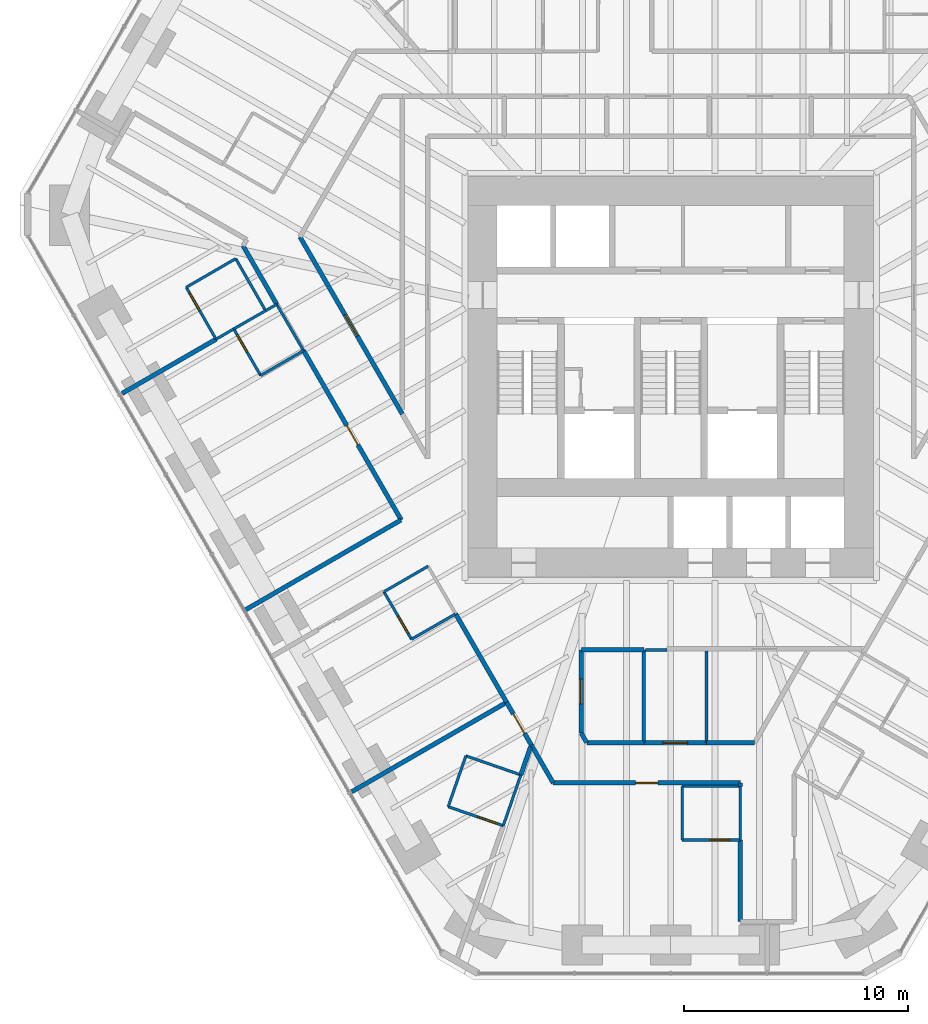
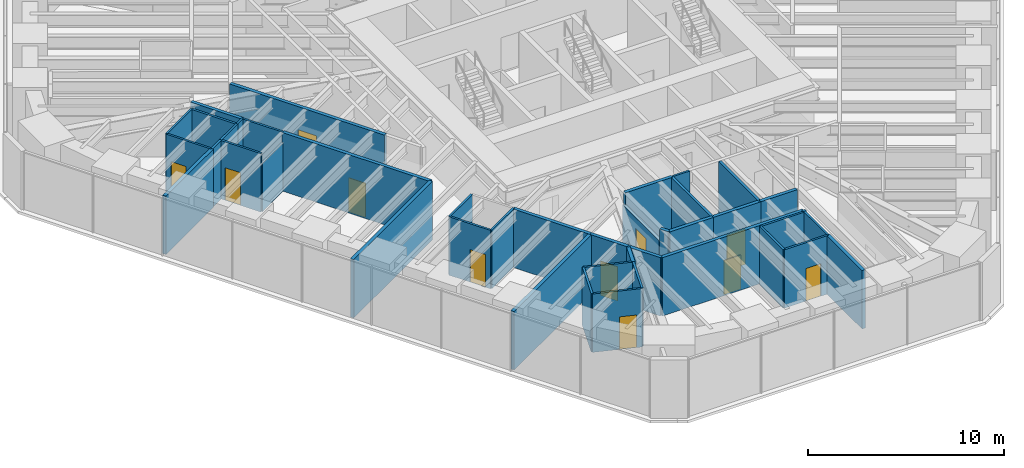
# One storey, part 11 of 17: 42 walls, 11 doors, 11 openings.
"""IFC4 building model written with IfcOpenShell, lengths in metres."""

from ifc_helpers import new_model, si_unit, direction, frame, frame_2d, origin, place, context, subcontext, project, spatial, rectangle, extrude, material, layer, layer_set, type_object, element, fill, save


model = new_model("IFC4")

# Units and contexts
model_context = context("Model", 3, precision=1e-05, world=origin(), true_north=direction((0.0, 1.0)))
body_context = subcontext(model_context, "Body", "Model", "MODEL_VIEW")
ifc_project = project(units=[si_unit("LENGTHUNIT", "METRE"), si_unit("AREAUNIT", "SQUARE_METRE"), si_unit("VOLUMEUNIT", "CUBIC_METRE"), si_unit("PLANEANGLEUNIT", "RADIAN"), si_unit("MASSUNIT", "GRAM", prefix="KILO")], contexts=[model_context])

# Site, building, storey
site_placement = place(None, origin())
site = spatial("IfcSite", under=ifc_project, at=site_placement, CompositionType="ELEMENT")
building_placement = place(site_placement, origin())
building = spatial("IfcBuilding", under=site, at=building_placement, Name="Sandreach Pilgrim Tower", CompositionType="ELEMENT")
storey_placement = place(building_placement, frame((0.0, 0.0, 142.39990234375)))
storey = spatial("IfcBuildingStorey", under=building, at=storey_placement, Name="L35", CompositionType="ELEMENT", Elevation=142.39990234375)

# Walls
ifc_material_1 = material(Name="Gypsum board on steel studs", Category="steel")
ifc_layer_1 = layer(ifc_material_1, 0.14990234375)
ifc_layer_set_1 = layer_set([ifc_layer_1], Name="Back of house wall 150")
wall_type_1 = type_object("IfcWallType", Name="Back of house wall 150", PredefinedType="PARTITIONING", material=ifc_layer_set_1)
wall_1_placement = place(storey_placement, frame((-1.199951171875, -13.75, 0.0), z_axis=(0.0, 0.0, 1.0), x_axis=(0.0, -1.0, 0.0)))
element("IfcWall", 1, at=wall_1_placement, inside=storey, type_object=wall_type_1, Name="Back of house wall L35-073", PredefinedType="PARTITIONING", context=body_context, shape_type="SweptSolid", body=[
    extrude(rectangle(XDim=4.139892578125, YDim=0.14990234375, at=frame_2d((2.06982421875, 0.0))), origin(), (0.0, 0.0, 1.0), 3.64013671875),
])
wall_2_placement = place(storey_placement, frame((1.60009765625, -13.800048828125, 0.0), z_axis=(0.0, 0.0, 1.0), x_axis=(0.0, -1.0, 0.0)))
element("IfcWall", 2, at=wall_2_placement, inside=storey, type_object=wall_type_1, Name="Back of house wall L35-079", PredefinedType="PARTITIONING", context=body_context, shape_type="SweptSolid", body=[
    extrude(rectangle(XDim=4.08984375, YDim=0.14990234375, at=frame_2d((2.044921875, 0.0))), origin(), (0.0, 0.0, 1.0), 3.64013671875),
])

# Wall, opening, door
ifc_material_2 = material(Name="Moisture-resistant gypsum board on steel studs", Category="steel")
ifc_layer_2 = layer(ifc_material_2, 0.1201171875)
ifc_layer_set_2 = layer_set([ifc_layer_2], Name="Bathroom partition 120")
wall_type_2 = type_object("IfcWallType", Name="Bathroom partition 120", PredefinedType="PARTITIONING", material=ifc_layer_set_2)
wall_3_placement = place(storey_placement, frame((-21.639892578125, 2.449951171875, 0.0), z_axis=(0.0, 0.0, 1.0), x_axis=(0.497288831399, -0.867585049529, 0.0)))
wall_3 = element("IfcWall", 3, at=wall_3_placement, inside=storey, type_object=wall_type_2, Name="Bathroom partition L35-007", PredefinedType="PARTITIONING", context=body_context, shape_type="SweptSolid", body=[
    extrude(rectangle(XDim=2.674072265625, YDim=0.1201171875, at=frame_2d((1.3369140625, 0.0))), origin(), (0.0, 0.0, 1.0), 3.64013671875),
])
opening_1_placement = place(wall_3_placement, frame((0.300048828125, 0.0, 0.0)))
opening_1 = element("IfcOpeningElement", 4, at=opening_1_placement, cuts=wall_3, Name="Opening D09-14B", PredefinedType="OPENING", context=body_context, shape_type="SweptSolid", body=[
    extrude(rectangle(XDim=0.89990234375, YDim=2.030029296875, at=frame_2d((0.449951171875, 1.01513671875))), frame((0.0, 0.06005859375, 0.0), z_axis=(0.0, -1.0, 0.0), x_axis=(1.0, 0.0, 0.0)), (0.0, 0.0, 1.0), 0.1201171875),
])
ifc_material_3 = material(Name="Timber door, steel frame", Category="steel")
door_type_1 = type_object("IfcDoorType", Name="Bathroom door", OperationType="SINGLE_SWING_LEFT", PredefinedType="DOOR", material=ifc_material_3)
door_1_placement = place(opening_1_placement, origin())
door_1 = element("IfcDoor", 5, at=door_1_placement, inside=storey, type_object=door_type_1, Name="Door 3514B", OperationType="SINGLE_SWING_LEFT", OverallHeight=2.030029296875, OverallWidth=0.89990234375, PredefinedType="DOOR", context=body_context, shape_type="SweptSolid", body=[
    extrude(rectangle(XDim=0.89990234375, YDim=2.030029296875, at=frame_2d((0.449951171875, 1.01513671875))), frame((0.0, 0.02490234375, 0.0), z_axis=(0.0, -1.0, 0.0), x_axis=(1.0, 0.0, 0.0)), (0.0, 0.0, 1.0), 0.050048828125),
])
fill(opening_1, door_1)

# Wall
wall_4_placement = place(storey_placement, frame((-20.31005859375, 0.1298828125, 0.0), z_axis=(0.0, 0.0, 1.0), x_axis=(0.864088651014, 0.503339649926, 0.0)))
element("IfcWall", 6, at=wall_4_placement, inside=storey, type_object=wall_type_2, Name="Bathroom partition L35-008", PredefinedType="PARTITIONING", context=body_context, shape_type="SweptSolid", body=[
    extrude(rectangle(XDim=0.914306640625, YDim=0.1201171875, at=frame_2d((0.45703125, 0.0))), origin(), (0.0, 0.0, 1.0), 3.64013671875),
])

# Wall, opening, door
wall_5_placement = place(storey_placement, frame((-19.52001953125, 0.590087890625, 0.0), z_axis=(0.0, 0.0, 1.0), x_axis=(0.499693115345, -0.866202511239, 0.0)))
wall_5 = element("IfcWall", 7, at=wall_5_placement, inside=storey, type_object=wall_type_2, Name="Bathroom partition L35-010", PredefinedType="PARTITIONING", context=body_context, shape_type="SweptSolid", body=[
    extrude(rectangle(XDim=2.4013671875, YDim=0.1201171875, at=frame_2d((1.20068359375, 0.0))), origin(), (0.0, 0.0, 1.0), 3.64013671875),
])
opening_2_placement = place(wall_5_placement, frame((0.300048828125, 0.0, 0.0)))
opening_2 = element("IfcOpeningElement", 8, at=opening_2_placement, cuts=wall_5, Name="Opening D09-13B", PredefinedType="OPENING", context=body_context, shape_type="SweptSolid", body=[
    extrude(rectangle(XDim=0.89990234375, YDim=2.030029296875, at=frame_2d((0.449951171875, 1.01513671875))), frame((0.0, 0.06005859375, 0.0), z_axis=(0.0, -1.0, 0.0), x_axis=(1.0, 0.0, 0.0)), (0.0, 0.0, 1.0), 0.1201171875),
])
door_2_placement = place(opening_2_placement, origin())
door_2 = element("IfcDoor", 9, at=door_2_placement, inside=storey, type_object=door_type_1, Name="Door 3513B", OperationType="SINGLE_SWING_LEFT", OverallHeight=2.030029296875, OverallWidth=0.89990234375, PredefinedType="DOOR", context=body_context, shape_type="SweptSolid", body=[
    extrude(rectangle(XDim=0.89990234375, YDim=2.030029296875, at=frame_2d((0.449951171875, 1.01513671875))), frame((0.0, 0.02490234375, 0.0), z_axis=(0.0, -1.0, 0.0), x_axis=(1.0, 0.0, 0.0)), (0.0, 0.0, 1.0), 0.050048828125),
])
fill(opening_2, door_2)

# Walls
wall_6_placement = place(storey_placement, frame((-19.52001953125, 0.590087890625, 0.0), z_axis=(0.0, 0.0, 1.0), x_axis=(0.868013991935, 0.496539736381, 0.0)))
element("IfcWall", 10, at=wall_6_placement, inside=storey, type_object=wall_type_2, Name="Bathroom partition L35-011", PredefinedType="PARTITIONING", context=body_context, shape_type="SweptSolid", body=[
    extrude(rectangle(XDim=1.6396484375, YDim=0.1201171875, at=frame_2d((0.81982421875, 0.0))), origin(), (0.0, 0.0, 1.0), 3.64013671875),
])
wall_7_placement = place(storey_placement, frame((-19.429931640625, 3.72998046875, 0.0), z_axis=(0.0, 0.0, 1.0), x_axis=(-0.865328095335, -0.50120583339, 0.0)))
element("IfcWall", 11, at=wall_7_placement, inside=storey, type_object=wall_type_2, Name="Bathroom partition L35-012", PredefinedType="PARTITIONING", context=body_context, shape_type="SweptSolid", body=[
    extrude(rectangle(XDim=2.553955078125, YDim=0.1201171875, at=frame_2d((1.27685546875, 0.0))), origin(), (0.0, 0.0, 1.0), 3.64013671875),
])
wall_8_placement = place(storey_placement, frame((-18.320068359375, -1.489990234375, 0.0), z_axis=(0.0, 0.0, 1.0), x_axis=(0.865732595383, 0.500506816428, 0.0)))
element("IfcWall", 12, at=wall_8_placement, inside=storey, type_object=wall_type_2, Name="Bathroom partition L35-017", PredefinedType="PARTITIONING", context=body_context, shape_type="SweptSolid", body=[
    extrude(rectangle(XDim=2.218017578125, YDim=0.1201171875, at=frame_2d((1.10888671875, 0.0))), origin(), (0.0, 0.0, 1.0), 3.02294921875),
])
wall_9_placement = place(storey_placement, frame((-18.10009765625, 1.409912109375, 0.0), z_axis=(0.0, 0.0, 1.0), x_axis=(-0.497288831399, 0.867585049529, 0.0)))
element("IfcWall", 13, at=wall_9_placement, inside=storey, type_object=wall_type_2, Name="Bathroom partition L35-018", PredefinedType="PARTITIONING", context=body_context, shape_type="SweptSolid", body=[
    extrude(rectangle(XDim=2.674072265625, YDim=0.1201171875, at=frame_2d((1.3369140625, 0.0))), origin(), (0.0, 0.0, 1.0), 3.64013671875),
])
wall_10_placement = place(storey_placement, frame((-18.0966796875, 1.404296875, 0.0), z_axis=(0.0, 0.0, 1.0), x_axis=(0.866823419736, 0.498615241441, 0.0)))
element("IfcWall", 14, at=wall_10_placement, inside=storey, type_object=wall_type_2, Name="Bathroom partition L35-019", PredefinedType="PARTITIONING", context=body_context, shape_type="SweptSolid", body=[
    extrude(rectangle(XDim=0.57275390625, YDim=0.1201171875, at=frame_2d((0.286376953125, 0.0))), origin(), (0.0, 0.0, 1.0), 3.64013671875),
])
wall_11_placement = place(storey_placement, frame((-17.60009765625, 1.68994140625, 0.0), z_axis=(0.0, 0.0, 1.0), x_axis=(0.501623408317, -0.865086097581, 0.0)))
element("IfcWall", 15, at=wall_11_placement, inside=storey, type_object=wall_type_2, Name="Bathroom partition L35-022", PredefinedType="PARTITIONING", context=body_context, shape_type="SweptSolid", body=[
    extrude(rectangle(XDim=2.392578125, YDim=0.1201171875, at=frame_2d((1.1962890625, 0.0))), origin(), (0.0, 0.0, 1.0), 3.64013671875),
])

# Wall, opening, door
wall_12_placement = place(storey_placement, frame((-12.81005859375, -11.14990234375, 0.0), z_axis=(0.0, 0.0, 1.0), x_axis=(0.501813488763, -0.864975850817, 0.0)))
wall_12 = element("IfcWall", 16, at=wall_12_placement, inside=storey, type_object=wall_type_2, Name="Bathroom partition L35-030", PredefinedType="PARTITIONING", context=body_context, shape_type="SweptSolid", body=[
    extrude(rectangle(XDim=2.451171875, YDim=0.1201171875, at=frame_2d((1.2255859375, 0.0))), origin(), (0.0, 0.0, 1.0), 3.64013671875),
])
opening_3_placement = place(wall_12_placement, frame((1.2509765625, 0.0, 0.0)))
opening_3 = element("IfcOpeningElement", 17, at=opening_3_placement, cuts=wall_12, Name="Opening D09-12B", PredefinedType="OPENING", context=body_context, shape_type="SweptSolid", body=[
    extrude(rectangle(XDim=0.89990234375, YDim=2.030029296875, at=frame_2d((0.449951171875, 1.01513671875))), frame((0.0, 0.06005859375, 0.0), z_axis=(0.0, -1.0, 0.0), x_axis=(1.0, 0.0, 0.0)), (0.0, 0.0, 1.0), 0.1201171875),
])
door_3_placement = place(opening_3_placement, origin())
door_3 = element("IfcDoor", 18, at=door_3_placement, inside=storey, type_object=door_type_1, Name="Door 3512B", OperationType="SINGLE_SWING_RIGHT", OverallHeight=2.030029296875, OverallWidth=0.89990234375, PredefinedType="DOOR", context=body_context, shape_type="SweptSolid", body=[
    extrude(rectangle(XDim=0.89990234375, YDim=2.030029296875, at=frame_2d((0.449951171875, 1.01513671875))), frame((0.0, 0.02490234375, 0.0), z_axis=(0.0, -1.0, 0.0), x_axis=(1.0, 0.0, 0.0)), (0.0, 0.0, 1.0), 0.050048828125),
])
fill(opening_3, door_3)

# Walls
wall_13_placement = place(storey_placement, frame((-12.81005859375, -11.14990234375, 0.0), z_axis=(0.0, 0.0, 1.0), x_axis=(0.865543766642, 0.500833293649, 0.0)))
element("IfcWall", 19, at=wall_13_placement, inside=storey, type_object=wall_type_2, Name="Bathroom partition L35-031", PredefinedType="PARTITIONING", context=body_context, shape_type="SweptSolid", body=[
    extrude(rectangle(XDim=2.27587890625, YDim=0.1201171875, at=frame_2d((1.137939453125, 0.0))), origin(), (0.0, 0.0, 1.0), 3.64013671875),
])
wall_14_placement = place(storey_placement, frame((-11.580078125, -13.27001953125, 0.0), z_axis=(0.0, 0.0, 1.0), x_axis=(0.867428373024, 0.497562074192, 0.0)))
element("IfcWall", 20, at=wall_14_placement, inside=storey, type_object=wall_type_2, Name="Bathroom partition L35-039", PredefinedType="PARTITIONING", context=body_context, shape_type="SweptSolid", body=[
    extrude(rectangle(XDim=2.271240234375, YDim=0.1201171875, at=frame_2d((1.1357421875, 0.0))), origin(), (0.0, 0.0, 1.0), 3.64013671875),
])

# Wall, opening, door
wall_15_placement = place(storey_placement, frame((-9.93994140625, -20.75, 0.0), z_axis=(0.0, 0.0, 1.0), x_axis=(0.94515546045, -0.326620813149, 0.0)))
wall_15 = element("IfcWall", 21, at=wall_15_placement, inside=storey, type_object=wall_type_2, Name="Bathroom partition L35-045", PredefinedType="PARTITIONING", context=body_context, shape_type="SweptSolid", body=[
    extrude(rectangle(XDim=2.602783203125, YDim=0.1201171875, at=frame_2d((1.30126953125, 0.0))), origin(), (0.0, 0.0, 1.0), 3.64013671875),
])
opening_4_placement = place(wall_15_placement, frame((1.402587890625, 0.0, 0.0)))
opening_4 = element("IfcOpeningElement", 22, at=opening_4_placement, cuts=wall_15, Name="Opening D09-11B", PredefinedType="OPENING", context=body_context, shape_type="SweptSolid", body=[
    extrude(rectangle(XDim=0.89990234375, YDim=2.030029296875, at=frame_2d((0.449951171875, 1.01513671875))), frame((0.0, 0.06005859375, 0.0), z_axis=(0.0, -1.0, 0.0), x_axis=(1.0, 0.0, 0.0)), (0.0, 0.0, 1.0), 0.1201171875),
])
door_4_placement = place(opening_4_placement, origin())
door_4 = element("IfcDoor", 23, at=door_4_placement, inside=storey, type_object=door_type_1, Name="Door 3511B", OperationType="SINGLE_SWING_RIGHT", OverallHeight=2.030029296875, OverallWidth=0.89990234375, PredefinedType="DOOR", context=body_context, shape_type="SweptSolid", body=[
    extrude(rectangle(XDim=0.89990234375, YDim=2.030029296875, at=frame_2d((0.449951171875, 1.01513671875))), frame((0.0, 0.02490234375, 0.0), z_axis=(0.0, -1.0, 0.0), x_axis=(1.0, 0.0, 0.0)), (0.0, 0.0, 1.0), 0.050048828125),
])
fill(opening_4, door_4)

# Walls
wall_16_placement = place(storey_placement, frame((-9.14990234375, -18.47998046875, 0.0), z_axis=(0.0, 0.0, 1.0), x_axis=(-0.328693963496, -0.944436487203, 0.0)))
element("IfcWall", 24, at=wall_16_placement, inside=storey, type_object=wall_type_2, Name="Bathroom partition L35-050", PredefinedType="PARTITIONING", context=body_context, shape_type="SweptSolid", body=[
    extrude(rectangle(XDim=2.403564453125, YDim=0.1201171875, at=frame_2d((1.20166015625, 0.0))), origin(), (0.0, 0.0, 1.0), 3.64013671875),
])
wall_17_placement = place(storey_placement, frame((-7.47998046875, -21.60009765625, 0.0), z_axis=(0.0, 0.0, 1.0), x_axis=(0.326492166492, 0.945199907543, 0.0)))
element("IfcWall", 25, at=wall_17_placement, inside=storey, type_object=wall_type_2, Name="Bathroom partition L35-051", PredefinedType="PARTITIONING", context=body_context, shape_type="SweptSolid", body=[
    extrude(rectangle(XDim=2.400390625, YDim=0.1201171875, at=frame_2d((1.2001953125, 0.0))), origin(), (0.0, 0.0, 1.0), 3.64013671875),
])
wall_18_placement = place(storey_placement, frame((-6.699951171875, -19.330078125, 0.0), z_axis=(0.0, 0.0, 1.0), x_axis=(-0.944753042377, 0.327782990589, 0.0)))
element("IfcWall", 26, at=wall_18_placement, inside=storey, type_object=wall_type_2, Name="Bathroom partition L35-056", PredefinedType="PARTITIONING", context=body_context, shape_type="SweptSolid", body=[
    extrude(rectangle(XDim=2.593505859375, YDim=0.1201171875, at=frame_2d((1.296875, 0.0))), origin(), (0.0, 0.0, 1.0), 3.64013671875),
])
wall_19_placement = place(storey_placement, frame((-1.125, -13.75, 0.0), z_axis=(0.0, 0.0, 1.0), x_axis=(1.0, 0.0, 0.0)))
element("IfcWall", 27, at=wall_19_placement, inside=storey, type_object=wall_type_2, Name="Bathroom partition L35-074", PredefinedType="PARTITIONING", context=body_context, shape_type="SweptSolid", body=[
    extrude(rectangle(XDim=0.955078125, YDim=0.1201171875, at=frame_2d((0.4775390625, 0.0))), origin(), (0.0, 0.0, 1.0), 3.64013671875),
])

# Wall, opening, door
wall_20_placement = place(storey_placement, frame((0.510009765625, -22.239990234375, 0.0), z_axis=(0.0, 0.0, 1.0), x_axis=(1.0, 0.0, 0.0)))
wall_20 = element("IfcWall", 28, at=wall_20_placement, inside=storey, type_object=wall_type_2, Name="Bathroom partition L35-076", PredefinedType="PARTITIONING", context=body_context, shape_type="SweptSolid", body=[
    extrude(rectangle(XDim=2.60009765625, YDim=0.1201171875, at=frame_2d((1.300048828125, 0.0))), origin(), (0.0, 0.0, 1.0), 3.64013671875),
])
opening_5_placement = place(wall_20_placement, frame((1.25, 0.0, 0.0)))
opening_5 = element("IfcOpeningElement", 29, at=opening_5_placement, cuts=wall_20, Name="Opening D09-10B", PredefinedType="OPENING", context=body_context, shape_type="SweptSolid", body=[
    extrude(rectangle(XDim=0.89990234375, YDim=2.030029296875, at=frame_2d((0.449951171875, 1.01513671875))), frame((0.0, 0.06005859375, 0.0), z_axis=(0.0, -1.0, 0.0), x_axis=(1.0, 0.0, 0.0)), (0.0, 0.0, 1.0), 0.1201171875),
])
door_5_placement = place(opening_5_placement, origin())
door_5 = element("IfcDoor", 30, at=door_5_placement, inside=storey, type_object=door_type_1, Name="Door 3510B", OperationType="SINGLE_SWING_RIGHT", OverallHeight=2.030029296875, OverallWidth=0.89990234375, PredefinedType="DOOR", context=body_context, shape_type="SweptSolid", body=[
    extrude(rectangle(XDim=0.89990234375, YDim=2.030029296875, at=frame_2d((0.449951171875, 1.01513671875))), frame((0.0, 0.02490234375, 0.0), z_axis=(0.0, -1.0, 0.0), x_axis=(1.0, 0.0, 0.0)), (0.0, 0.0, 1.0), 0.050048828125),
])
fill(opening_5, door_5)

# Walls
wall_21_placement = place(storey_placement, frame((0.510009765625, -19.840087890625, 0.0), z_axis=(0.0, 0.0, 1.0), x_axis=(0.0, -1.0, 0.0)))
element("IfcWall", 31, at=wall_21_placement, inside=storey, type_object=wall_type_2, Name="Bathroom partition L35-077", PredefinedType="PARTITIONING", context=body_context, shape_type="SweptSolid", body=[
    extrude(rectangle(XDim=2.39990234375, YDim=0.1201171875, at=frame_2d((1.199951171875, 0.0))), origin(), (0.0, 0.0, 1.0), 3.64013671875),
])
wall_22_placement = place(storey_placement, frame((3.110107421875, -19.840087890625, 0.0), z_axis=(0.0, 0.0, 1.0), x_axis=(-1.0, 0.0, 0.0)))
element("IfcWall", 32, at=wall_22_placement, inside=storey, type_object=wall_type_2, Name="Bathroom partition L35-084", PredefinedType="PARTITIONING", context=body_context, shape_type="SweptSolid", body=[
    extrude(rectangle(XDim=2.60009765625, YDim=0.1201171875, at=frame_2d((1.300048828125, 0.0))), origin(), (0.0, 0.0, 1.0), 3.64013671875),
])
wall_23_placement = place(storey_placement, frame((3.110107421875, -19.840087890625, 0.0), z_axis=(0.0, 0.0, 1.0), x_axis=(0.0, -1.0, 0.0)))
element("IfcWall", 33, at=wall_23_placement, inside=storey, type_object=wall_type_2, Name="Bathroom partition L35-085", PredefinedType="PARTITIONING", context=body_context, shape_type="SweptSolid", body=[
    extrude(rectangle(XDim=2.39990234375, YDim=0.1201171875, at=frame_2d((1.199951171875, 0.0))), origin(), (0.0, 0.0, 1.0), 3.64013671875),
])
ifc_material_4 = material(Name="Gypsum board on steel studs, two layers each side", Category="steel")
ifc_layer_3 = layer(ifc_material_4, 0.199951171875)
ifc_layer_set_3 = layer_set([ifc_layer_3], Name="Corridor wall 200")
wall_type_3 = type_object("IfcWallType", Name="Corridor wall 200", PredefinedType="PARTITIONING", material=ifc_layer_set_3)
wall_24_placement = place(storey_placement, frame((-19.10009765625, 4.300048828125, 0.0), z_axis=(0.0, 0.0, 1.0), x_axis=(0.498268459914, -0.867022803538, 0.0)))
element("IfcWall", 34, at=wall_24_placement, inside=storey, type_object=wall_type_3, Name="Corridor wall L35-014", PredefinedType="PARTITIONING", context=body_context, shape_type="SweptSolid", body=[
    extrude(rectangle(XDim=3.010498046875, YDim=0.199951171875, at=frame_2d((1.50537109375, 0.0))), origin(), (0.0, 0.0, 1.0), 3.64013671875),
])

# Wall, opening, door
wall_25_placement = place(storey_placement, frame((-16.39990234375, -0.3798828125, 0.0), z_axis=(0.0, 0.0, 1.0), x_axis=(0.499575523811, -0.866270336563, 0.0)))
wall_25 = element("IfcWall", 35, at=wall_25_placement, inside=storey, type_object=wall_type_3, Name="Corridor wall L35-026", PredefinedType="PARTITIONING", context=body_context, shape_type="SweptSolid", body=[
    extrude(rectangle(XDim=8.72705078125, YDim=0.199951171875, at=frame_2d((4.363525390625, 0.0))), origin(), (0.0, 0.0, 1.0), 3.64013671875),
])
opening_6_placement = place(wall_25_placement, frame((3.863525390625, 0.0, 0.0)))
opening_6 = element("IfcOpeningElement", 36, at=opening_6_placement, cuts=wall_25, Name="Opening D10-13", PredefinedType="OPENING", context=body_context, shape_type="SweptSolid", body=[
    extrude(rectangle(XDim=1.0, YDim=2.1298828125, at=frame_2d((0.5, 1.06494140625))), frame((0.0, 0.10009765625, 0.0), z_axis=(0.0, -1.0, 0.0), x_axis=(1.0, 0.0, 0.0)), (0.0, 0.0, 1.0), 0.199951171875),
])
ifc_material_5 = material(Name="Steel door and frame", Category="steel")
door_type_2 = type_object("IfcDoorType", Name="Guest room entry door", OperationType="SINGLE_SWING_LEFT", PredefinedType="DOOR", material=ifc_material_5)
door_6_placement = place(opening_6_placement, origin())
door_6 = element("IfcDoor", 37, at=door_6_placement, inside=storey, type_object=door_type_2, Name="Door 3513", OperationType="SINGLE_SWING_LEFT", OverallHeight=2.1298828125, OverallWidth=1.0, PredefinedType="DOOR", context=body_context, shape_type="SweptSolid", body=[
    extrude(rectangle(XDim=1.0, YDim=2.1298828125, at=frame_2d((0.5, 1.06494140625))), frame((0.0, 0.02490234375, 0.0), z_axis=(0.0, -1.0, 0.0), x_axis=(1.0, 0.0, 0.0)), (0.0, 0.0, 1.0), 0.050048828125),
])
fill(opening_6, door_6)

# Wall
wall_26_placement = place(storey_placement, frame((-12.052978515625, -7.947509765625, 0.0), z_axis=(0.0, 0.0, 1.0), x_axis=(-0.865882003792, -0.500248293859, 0.0)))
element("IfcWall", 38, at=wall_26_placement, inside=storey, type_object=wall_type_3, Name="Corridor wall L35-035", PredefinedType="PARTITIONING", context=body_context, shape_type="SweptSolid", body=[
    extrude(rectangle(XDim=8.05078125, YDim=0.199951171875, at=frame_2d((4.025390625, 0.0))), origin(), (0.0, 0.0, 1.0), 3.64013671875),
])

# Wall, opening, door
wall_27_placement = place(storey_placement, frame((-11.989990234375, -3.2099609375, 0.0), z_axis=(0.0, 0.0, 1.0), x_axis=(-0.500269138002, 0.865869961116, 0.0)))
wall_27 = element("IfcWall", 39, at=wall_27_placement, inside=storey, type_object=wall_type_3, Name="Corridor wall L35-036", PredefinedType="PARTITIONING", context=body_context, shape_type="SweptSolid", body=[
    extrude(rectangle(XDim=9.13525390625, YDim=0.199951171875, at=frame_2d((4.567626953125, 0.0))), origin(), (0.0, 0.0, 1.0), 3.64013671875),
])
opening_7_placement = place(wall_27_placement, frame((4.017578125, 0.0, 0.0)))
opening_7 = element("IfcOpeningElement", 40, at=opening_7_placement, cuts=wall_27, Name="Opening D11H-M01", PredefinedType="OPENING", context=body_context, shape_type="SweptSolid", body=[
    extrude(rectangle(XDim=1.10009765625, YDim=2.199951171875, at=frame_2d((0.550048828125, 1.10009765625))), frame((0.0, 0.10009765625, 0.0), z_axis=(0.0, -1.0, 0.0), x_axis=(1.0, 0.0, 0.0)), (0.0, 0.0, 1.0), 0.199951171875),
])
ifc_material_6 = material(Name="Steel door and frame", Category="steel")
door_type_3 = type_object("IfcDoorType", Name="Back of house door", OperationType="SINGLE_SWING_LEFT", PredefinedType="DOOR", material=ifc_material_6)
door_7_placement = place(opening_7_placement, origin())
door_7 = element("IfcDoor", 41, at=door_7_placement, inside=storey, type_object=door_type_3, Name="Door 35M01", OperationType="SINGLE_SWING_LEFT", OverallHeight=2.199951171875, OverallWidth=1.10009765625, PredefinedType="DOOR", context=body_context, shape_type="SweptSolid", body=[
    extrude(rectangle(XDim=1.10009765625, YDim=2.199951171875, at=frame_2d((0.550048828125, 1.10009765625))), frame((0.0, 0.02490234375, 0.0), z_axis=(0.0, -1.0, 0.0), x_axis=(1.0, 0.0, 0.0)), (0.0, 0.0, 1.0), 0.050048828125),
])
fill(opening_7, door_7)

# Wall
wall_28_placement = place(storey_placement, frame((-9.610107421875, -12.139892578125, 0.0), z_axis=(0.0, 0.0, 1.0), x_axis=(0.499898533245, -0.866083977718, 0.0)))
element("IfcWall", 42, at=wall_28_placement, inside=storey, type_object=wall_type_3, Name="Corridor wall L35-048", PredefinedType="PARTITIONING", context=body_context, shape_type="SweptSolid", body=[
    extrude(rectangle(XDim=4.56103515625, YDim=0.199951171875, at=frame_2d((2.280517578125, 0.0))), origin(), (0.0, 0.0, 1.0), 3.64013671875),
])

# Wall, opening, door
wall_29_placement = place(storey_placement, frame((-7.3310546875, -16.090576171875, 0.0), z_axis=(0.0, 0.0, 1.0), x_axis=(0.501518373175, -0.865146994081, 0.0)))
wall_29 = element("IfcWall", 43, at=wall_29_placement, inside=storey, type_object=wall_type_3, Name="Corridor wall L35-055", PredefinedType="PARTITIONING", context=body_context, shape_type="SweptSolid", body=[
    extrude(rectangle(XDim=2.195556640625, YDim=0.199951171875, at=frame_2d((1.09765625, 0.0))), origin(), (0.0, 0.0, 1.0), 3.64013671875),
])
opening_8_placement = place(wall_29_placement, frame((0.59765625, 0.0, 0.0)))
opening_8 = element("IfcOpeningElement", 44, at=opening_8_placement, cuts=wall_29, Name="Opening D10-11", PredefinedType="OPENING", context=body_context, shape_type="SweptSolid", body=[
    extrude(rectangle(XDim=1.0, YDim=2.1298828125, at=frame_2d((0.5, 1.06494140625))), frame((0.0, 0.10009765625, 0.0), z_axis=(0.0, -1.0, 0.0), x_axis=(1.0, 0.0, 0.0)), (0.0, 0.0, 1.0), 0.199951171875),
])
door_8_placement = place(opening_8_placement, origin())
door_8 = element("IfcDoor", 45, at=door_8_placement, inside=storey, type_object=door_type_2, Name="Door 3511", OperationType="SINGLE_SWING_LEFT", OverallHeight=2.1298828125, OverallWidth=1.0, PredefinedType="DOOR", context=body_context, shape_type="SweptSolid", body=[
    extrude(rectangle(XDim=1.0, YDim=2.1298828125, at=frame_2d((0.5, 1.06494140625))), frame((0.0, 0.02490234375, 0.0), z_axis=(0.0, -1.0, 0.0), x_axis=(1.0, 0.0, 0.0)), (0.0, 0.0, 1.0), 0.050048828125),
])
fill(opening_8, door_8)

# Wall
wall_30_placement = place(storey_placement, frame((-6.22998046875, -17.989990234375, 0.0), z_axis=(0.0, 0.0, 1.0), x_axis=(0.499431599995, -0.866353321068, 0.0)))
element("IfcWall", 46, at=wall_30_placement, inside=storey, type_object=wall_type_3, Name="Corridor wall L35-058", PredefinedType="PARTITIONING", context=body_context, shape_type="SweptSolid", body=[
    extrude(rectangle(XDim=1.962158203125, YDim=0.199951171875, at=frame_2d((0.98095703125, 0.0))), origin(), (0.0, 0.0, 1.0), 3.64013671875),
])

# Wall, opening, door
wall_31_placement = place(storey_placement, frame((-5.25, -19.68994140625, 0.0), z_axis=(0.0, 0.0, 1.0), x_axis=(1.0, 0.0, 0.0)))
wall_31 = element("IfcWall", 47, at=wall_31_placement, inside=storey, type_object=wall_type_3, Name="Corridor wall L35-061", PredefinedType="PARTITIONING", context=body_context, shape_type="SweptSolid", body=[
    extrude(rectangle(XDim=8.360107421875, YDim=0.199951171875, at=frame_2d((4.18017578125, 0.0))), origin(), (0.0, 0.0, 1.0), 3.64013671875),
])
opening_9_placement = place(wall_31_placement, frame((3.679931640625, 0.0, 0.0)))
opening_9 = element("IfcOpeningElement", 48, at=opening_9_placement, cuts=wall_31, Name="Opening D10-10", PredefinedType="OPENING", context=body_context, shape_type="SweptSolid", body=[
    extrude(rectangle(XDim=1.0, YDim=2.1298828125, at=frame_2d((0.5, 1.06494140625))), frame((0.0, 0.10009765625, 0.0), z_axis=(0.0, -1.0, 0.0), x_axis=(1.0, 0.0, 0.0)), (0.0, 0.0, 1.0), 0.199951171875),
])
door_9_placement = place(opening_9_placement, origin())
door_9 = element("IfcDoor", 49, at=door_9_placement, inside=storey, type_object=door_type_2, Name="Door 3510", OperationType="SINGLE_SWING_LEFT", OverallHeight=2.1298828125, OverallWidth=1.0, PredefinedType="DOOR", context=body_context, shape_type="SweptSolid", body=[
    extrude(rectangle(XDim=1.0, YDim=2.1298828125, at=frame_2d((0.5, 1.06494140625))), frame((0.0, 0.02490234375, 0.0), z_axis=(0.0, -1.0, 0.0), x_axis=(1.0, 0.0, 0.0)), (0.0, 0.0, 1.0), 0.050048828125),
])
fill(opening_9, door_9)

wall_32_placement = place(storey_placement, frame((-4.0, -17.4599609375, 0.0), z_axis=(0.0, 0.0, 1.0), x_axis=(0.0, 1.0, 0.0)))
wall_32 = element("IfcWall", 50, at=wall_32_placement, inside=storey, type_object=wall_type_3, Name="Corridor wall L35-062", PredefinedType="PARTITIONING", context=body_context, shape_type="SweptSolid", body=[
    extrude(rectangle(XDim=3.7099609375, YDim=0.199951171875, at=frame_2d((1.85498046875, 0.0))), origin(), (0.0, 0.0, 1.0), 2.878173828125),
])
opening_10_placement = place(wall_32_placement, frame((1.304931640625, 0.0, 0.0)))
opening_10 = element("IfcOpeningElement", 51, at=opening_10_placement, cuts=wall_32, Name="Opening D11H-S2", PredefinedType="OPENING", context=body_context, shape_type="SweptSolid", body=[
    extrude(rectangle(XDim=1.10009765625, YDim=2.199951171875, at=frame_2d((0.550048828125, 1.10009765625))), frame((0.0, 0.10009765625, 0.0), z_axis=(0.0, -1.0, 0.0), x_axis=(1.0, 0.0, 0.0)), (0.0, 0.0, 1.0), 0.199951171875),
])
door_10_placement = place(opening_10_placement, origin())
door_10 = element("IfcDoor", 52, at=door_10_placement, inside=storey, type_object=door_type_3, Name="Door 35S2", OperationType="SINGLE_SWING_LEFT", OverallHeight=2.199951171875, OverallWidth=1.10009765625, PredefinedType="DOOR", context=body_context, shape_type="SweptSolid", body=[
    extrude(rectangle(XDim=1.10009765625, YDim=2.199951171875, at=frame_2d((0.550048828125, 1.10009765625))), frame((0.0, 0.02490234375, 0.0), z_axis=(0.0, -1.0, 0.0), x_axis=(1.0, 0.0, 0.0)), (0.0, 0.0, 1.0), 0.050048828125),
])
fill(opening_10, door_10)

# Walls
wall_33_placement = place(storey_placement, frame((-3.989990234375, -13.75, 0.0), z_axis=(0.0, 0.0, 1.0), x_axis=(1.0, 0.0, 0.0)))
element("IfcWall", 53, at=wall_33_placement, inside=storey, type_object=wall_type_3, Name="Corridor wall L35-063", PredefinedType="PARTITIONING", context=body_context, shape_type="SweptSolid", body=[
    extrude(rectangle(XDim=2.7900390625, YDim=0.199951171875, at=frame_2d((1.39501953125, 0.0))), origin(), (0.0, 0.0, 1.0), 3.64013671875),
])
wall_34_placement = place(storey_placement, frame((-3.75, -17.889892578125, 0.0), z_axis=(0.0, 0.0, 1.0), x_axis=(-0.502680181512, 0.864472460588, 0.0)))
element("IfcWall", 54, at=wall_34_placement, inside=storey, type_object=wall_type_3, Name="Corridor wall L35-064", PredefinedType="PARTITIONING", context=body_context, shape_type="SweptSolid", body=[
    extrude(rectangle(XDim=0.497314453125, YDim=0.199951171875, at=frame_2d((0.24853515625, 0.0))), origin(), (0.0, 0.0, 1.0), 3.64013671875),
])
wall_35_placement = place(storey_placement, frame((-1.199951171875, -17.889892578125, 0.0), z_axis=(0.0, 0.0, 1.0), x_axis=(-1.0, 0.0, 0.0)))
element("IfcWall", 55, at=wall_35_placement, inside=storey, type_object=wall_type_3, Name="Corridor wall L35-072", PredefinedType="PARTITIONING", context=body_context, shape_type="SweptSolid", body=[
    extrude(rectangle(XDim=2.550048828125, YDim=0.199951171875, at=frame_2d((1.27490234375, 0.0))), origin(), (0.0, 0.0, 1.0), 3.64013671875),
])

# Wall, opening, door
wall_36_placement = place(storey_placement, frame((1.60009765625, -17.889892578125, 0.0), z_axis=(0.0, 0.0, 1.0), x_axis=(-1.0, 0.0, 0.0)))
wall_36 = element("IfcWall", 56, at=wall_36_placement, inside=storey, type_object=wall_type_3, Name="Corridor wall L35-078", PredefinedType="PARTITIONING", context=body_context, shape_type="SweptSolid", body=[
    extrude(rectangle(XDim=2.800048828125, YDim=0.199951171875, at=frame_2d((1.39990234375, 0.0))), origin(), (0.0, 0.0, 1.0), 3.64013671875),
])
opening_11_placement = place(wall_36_placement, frame((0.85009765625, 0.0, 0.0)))
opening_11 = element("IfcOpeningElement", 57, at=opening_11_placement, cuts=wall_36, Name="Opening D11H-S3", PredefinedType="OPENING", context=body_context, shape_type="SweptSolid", body=[
    extrude(rectangle(XDim=1.10009765625, YDim=2.199951171875, at=frame_2d((0.550048828125, 1.10009765625))), frame((0.0, 0.10009765625, 0.0), z_axis=(0.0, -1.0, 0.0), x_axis=(1.0, 0.0, 0.0)), (0.0, 0.0, 1.0), 0.199951171875),
])
door_11_placement = place(opening_11_placement, origin())
door_11 = element("IfcDoor", 58, at=door_11_placement, inside=storey, type_object=door_type_3, Name="Door 35S3", OperationType="SINGLE_SWING_LEFT", OverallHeight=2.199951171875, OverallWidth=1.10009765625, PredefinedType="DOOR", context=body_context, shape_type="SweptSolid", body=[
    extrude(rectangle(XDim=1.10009765625, YDim=2.199951171875, at=frame_2d((0.550048828125, 1.10009765625))), frame((0.0, 0.02490234375, 0.0), z_axis=(0.0, -1.0, 0.0), x_axis=(1.0, 0.0, 0.0)), (0.0, 0.0, 1.0), 0.050048828125),
])
fill(opening_11, door_11)

# Walls
wall_37_placement = place(storey_placement, frame((3.110107421875, -22.239990234375, 0.0), z_axis=(0.0, 0.0, 1.0), x_axis=(0.0, -1.0, 0.0)))
element("IfcWall", 59, at=wall_37_placement, inside=storey, type_object=wall_type_3, Name="Corridor wall L35-083", PredefinedType="PARTITIONING", context=body_context, shape_type="SweptSolid", body=[
    extrude(rectangle(XDim=3.639892578125, YDim=0.199951171875, at=frame_2d((1.81982421875, 0.0))), origin(), (0.0, 0.0, 1.0), 3.64013671875),
])
wall_38_placement = place(storey_placement, frame((3.110107421875, -19.699951171875, 0.0), z_axis=(0.0, 0.0, 1.0), x_axis=(0.0, -1.0, 0.0)))
element("IfcWall", 60, at=wall_38_placement, inside=storey, type_object=wall_type_3, Name="Corridor wall L35-086", PredefinedType="PARTITIONING", context=body_context, shape_type="SweptSolid", body=[
    extrude(rectangle(XDim=0.14013671875, YDim=0.199951171875, at=frame_2d((0.070068359375, 0.0))), origin(), (0.0, 0.0, 1.0), 3.64013671875),
])
wall_39_placement = place(storey_placement, frame((3.75, -17.889892578125, 0.0), z_axis=(0.0, 0.0, 1.0), x_axis=(-1.0, 0.0, 0.0)))
element("IfcWall", 61, at=wall_39_placement, inside=storey, type_object=wall_type_3, Name="Corridor wall L35-088", PredefinedType="PARTITIONING", context=body_context, shape_type="SweptSolid", body=[
    extrude(rectangle(XDim=2.14990234375, YDim=0.199951171875, at=frame_2d((1.074951171875, 0.0))), origin(), (0.0, 0.0, 1.0), 3.64013671875),
])
ifc_material_7 = material(Name="Double steel stud acoustic wall, gypsum board", Category="steel")
ifc_layer_4 = layer(ifc_material_7, 0.199951171875)
ifc_layer_set_4 = layer_set([ifc_layer_4], Name="Party wall 200")
wall_type_4 = type_object("IfcWallType", Name="Party wall 200", PredefinedType="PARTITIONING", material=ifc_layer_set_4)
wall_40_placement = place(storey_placement, frame((-24.506103515625, -2.2900390625, 0.0), z_axis=(0.0, 0.0, 1.0), x_axis=(0.86626361228, 0.499587183622, 0.0)))
element("IfcWall", 62, at=wall_40_placement, inside=storey, type_object=wall_type_4, Name="Party wall L35-005", PredefinedType="PARTITIONING", context=body_context, shape_type="SweptSolid", body=[
    extrude(rectangle(XDim=4.84375, YDim=0.199951171875, at=frame_2d((2.421875, 0.0))), origin(), (0.0, 0.0, 1.0), 3.64013671875),
])
wall_41_placement = place(storey_placement, frame((-14.24609375, -20.080078125, 0.0), z_axis=(0.0, 0.0, 1.0), x_axis=(0.866178955952, 0.49973394548, 0.0)))
element("IfcWall", 63, at=wall_41_placement, inside=storey, type_object=wall_type_4, Name="Party wall L35-028", PredefinedType="PARTITIONING", context=body_context, shape_type="SweptSolid", body=[
    extrude(rectangle(XDim=7.969482421875, YDim=0.199951171875, at=frame_2d((3.98486328125, 0.0))), origin(), (0.0, 0.0, 1.0), 3.64013671875),
])
wall_42_placement = place(storey_placement, frame((-6.6962890625, -19.331298828125, 0.0), z_axis=(0.0, 0.0, 1.0), x_axis=(0.328298231075, 0.944574121746, 0.0)))
element("IfcWall", 64, at=wall_42_placement, inside=storey, type_object=wall_type_4, Name="Party wall L35-057", PredefinedType="PARTITIONING", context=body_context, shape_type="SweptSolid", body=[
    extrude(rectangle(XDim=1.320068359375, YDim=0.199951171875, at=frame_2d((0.66015625, 0.0))), origin(), (0.0, 0.0, 1.0), 3.64013671875),
])

save(model, "model.ifc")
